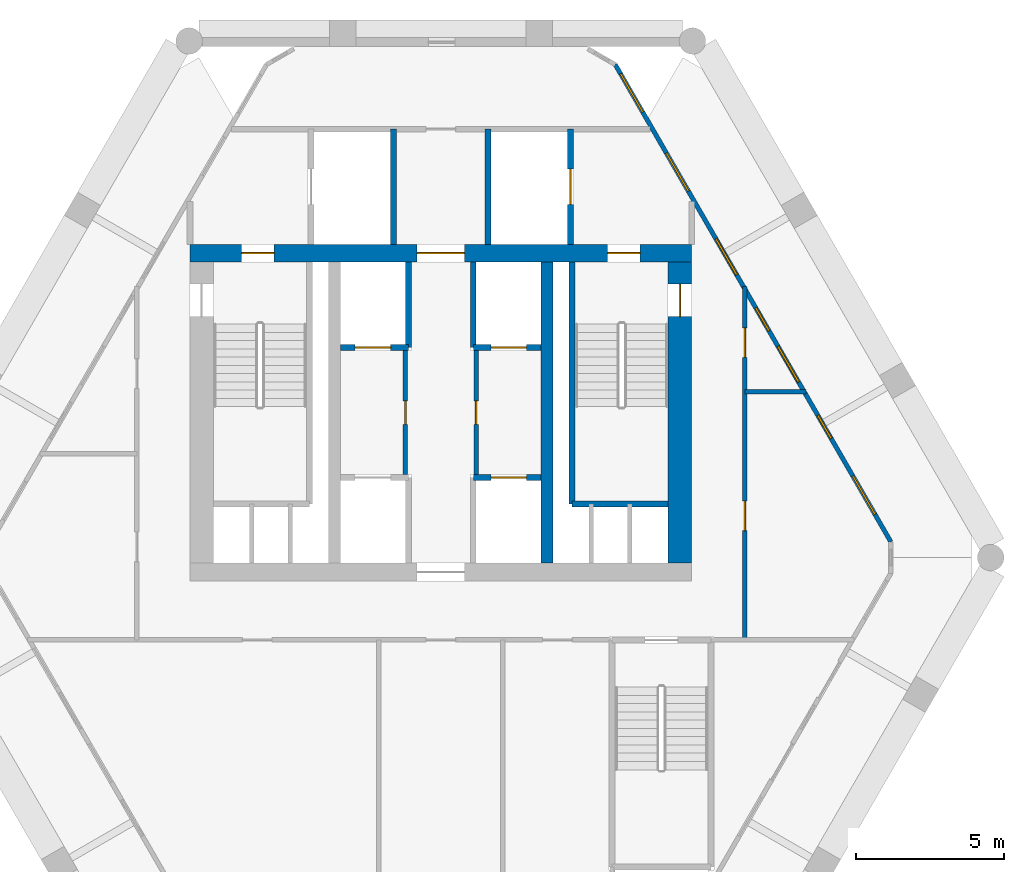
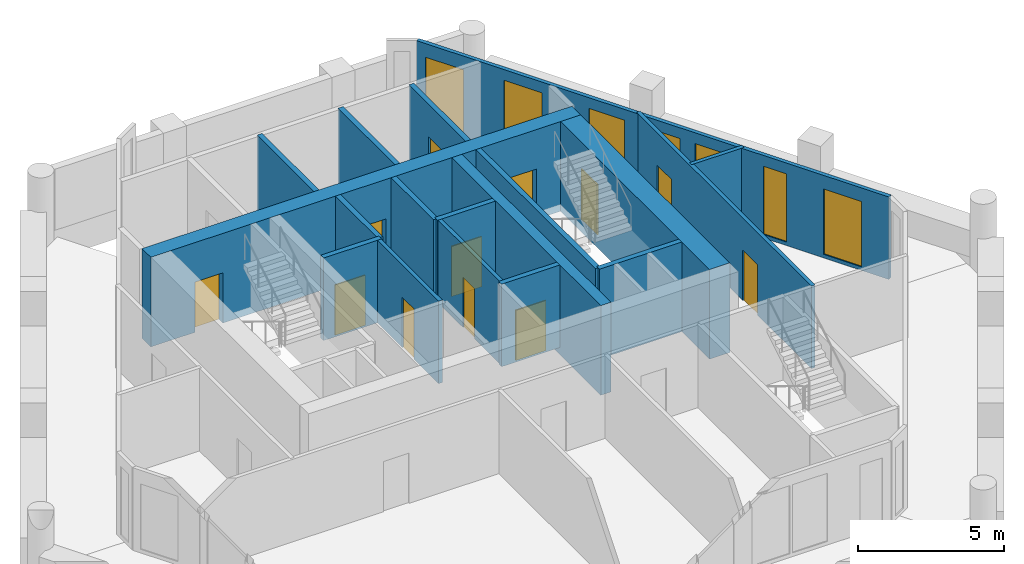
# One storey, part 4 of 6: 18 walls, 12 doors, 7 windows, 19 openings.
"""IFC4 building model written with IfcOpenShell, lengths in metres."""

from ifc_helpers import new_model, si_unit, direction, frame, frame_2d, origin, place, context, subcontext, project, spatial, rectangle, extrude, material, layer, layer_set, type_object, element, fill, save


model = new_model("IFC4")

# Units and contexts
model_context = context("Model", 3, precision=1e-05, world=origin(), true_north=direction((0.0, 1.0)))
body_context = subcontext(model_context, "Body", "Model", "MODEL_VIEW")
ifc_project = project(units=[si_unit("LENGTHUNIT", "METRE"), si_unit("AREAUNIT", "SQUARE_METRE"), si_unit("VOLUMEUNIT", "CUBIC_METRE"), si_unit("PLANEANGLEUNIT", "RADIAN"), si_unit("MASSUNIT", "GRAM", prefix="KILO")], contexts=[model_context])

# Site, building, storey
site_placement = place(None, origin())
site = spatial("IfcSite", under=ifc_project, at=site_placement, CompositionType="ELEMENT")
building_placement = place(site_placement, origin())
building = spatial("IfcBuilding", under=site, at=building_placement, Name="Ostrander Bayou Hotel Tower", CompositionType="ELEMENT")
storey_placement = place(building_placement, frame((0.0, 0.0, 260.0)))
storey = spatial("IfcBuildingStorey", under=building, at=storey_placement, Name="L64", CompositionType="ELEMENT", Elevation=260.0)

# Wall, openings, doors
ifc_material_1 = material(Name="Concrete f'c 60 MPa", Category="concrete")
ifc_layer_1 = layer(ifc_material_1, 0.60009765625)
ifc_layer_set_1 = layer_set([ifc_layer_1], Name="CW10 core wall 600 mm f'c 60 MPa")
wall_type_1 = type_object("IfcWallType", Name="CW10 core wall 600 mm f'c 60 MPa", PredefinedType="SHEAR", material=ifc_layer_set_1)
wall_1_placement = place(storey_placement, frame((-8.5, 9.39990234375, -0.300048828125), z_axis=(0.0, 0.0, 1.0), x_axis=(1.0, 0.0, 0.0)))
wall_1 = element("IfcWall", 1, at=wall_1_placement, inside=storey, type_object=wall_type_1, Name="CW10 L64 N", PredefinedType="SHEAR", context=body_context, shape_type="SweptSolid", body=[
    extrude(rectangle(XDim=17.0, YDim=0.60009765625, at=frame_2d((8.5, 0.0))), origin(), (0.0, 0.0, 1.0), 3.75),
])
opening_1_placement = place(wall_1_placement, frame((7.699951171875, 0.0, 0.0)))
opening_1 = element("IfcOpeningElement", 2, at=opening_1_placement, cuts=wall_1, Name="Opening T63-006", PredefinedType="OPENING", context=body_context, shape_type="SweptSolid", body=[
    extrude(rectangle(XDim=1.60009765625, YDim=2.10009765625, at=frame_2d((0.800048828125, 1.050048828125))), frame((0.0, 0.300048828125, 0.0), z_axis=(0.0, -1.0, 0.0), x_axis=(1.0, 0.0, 0.0)), (0.0, 0.0, 1.0), 0.60009765625),
])
opening_2_placement = place(wall_1_placement, frame((1.75, 0.0, 0.0)))
opening_2 = element("IfcOpeningElement", 3, at=opening_2_placement, cuts=wall_1, Name="Opening T63-007", PredefinedType="OPENING", context=body_context, shape_type="SweptSolid", body=[
    extrude(rectangle(XDim=1.10009765625, YDim=2.10009765625, at=frame_2d((0.550048828125, 1.050048828125))), frame((0.0, 0.300048828125, 0.0), z_axis=(0.0, -1.0, 0.0), x_axis=(1.0, 0.0, 0.0)), (0.0, 0.0, 1.0), 0.60009765625),
])
opening_3_placement = place(wall_1_placement, frame((14.14990234375, 0.0, 0.0)))
opening_3 = element("IfcOpeningElement", 4, at=opening_3_placement, cuts=wall_1, Name="Opening T63-009", PredefinedType="OPENING", context=body_context, shape_type="SweptSolid", body=[
    extrude(rectangle(XDim=1.10009765625, YDim=2.10009765625, at=frame_2d((0.550048828125, 1.050048828125))), frame((0.0, 0.300048828125, 0.0), z_axis=(0.0, -1.0, 0.0), x_axis=(1.0, 0.0, 0.0)), (0.0, 0.0, 1.0), 0.60009765625),
])
ifc_material_2 = material(Name="Timber door leaf", Category="wood")
door_type_1 = type_object("IfcDoorType", Name="D13 double door 1600 x 2100 mm, 1 hour", OperationType="SINGLE_SWING_LEFT", PredefinedType="DOOR", material=ifc_material_2)
door_1_placement = place(opening_1_placement, origin())
door_1 = element("IfcDoor", 5, at=door_1_placement, inside=storey, type_object=door_type_1, Name="dr:L64:006", OperationType="DOUBLE_DOOR_SINGLE_SWING", OverallHeight=2.10009765625, OverallWidth=1.60009765625, PredefinedType="DOOR", context=body_context, shape_type="SweptSolid", body=[
    extrude(rectangle(XDim=1.60009765625, YDim=2.10009765625, at=frame_2d((0.800048828125, 1.050048828125))), frame((0.0, 0.02490234375, 0.0), z_axis=(0.0, -1.0, 0.0), x_axis=(1.0, 0.0, 0.0)), (0.0, 0.0, 1.0), 0.050048828125),
])
fill(opening_1, door_1)
ifc_material_3 = material(Name="Timber door leaf", Category="wood")
door_type_2 = type_object("IfcDoorType", Name="D5 stair door 1100 x 2100 mm, 90 minute", OperationType="SINGLE_SWING_LEFT", PredefinedType="DOOR", material=ifc_material_3)
door_2_placement = place(opening_2_placement, origin())
door_2 = element("IfcDoor", 6, at=door_2_placement, inside=storey, type_object=door_type_2, Name="dr:L64:007", OperationType="SINGLE_SWING_LEFT", OverallHeight=2.10009765625, OverallWidth=1.10009765625, PredefinedType="DOOR", context=body_context, shape_type="SweptSolid", body=[
    extrude(rectangle(XDim=1.10009765625, YDim=2.10009765625, at=frame_2d((0.550048828125, 1.050048828125))), frame((0.0, 0.02490234375, 0.0), z_axis=(0.0, -1.0, 0.0), x_axis=(1.0, 0.0, 0.0)), (0.0, 0.0, 1.0), 0.050048828125),
])
fill(opening_2, door_2)
door_3_placement = place(opening_3_placement, origin())
door_3 = element("IfcDoor", 7, at=door_3_placement, inside=storey, type_object=door_type_2, Name="dr:L64:009", OperationType="SINGLE_SWING_RIGHT", OverallHeight=2.10009765625, OverallWidth=1.10009765625, PredefinedType="DOOR", context=body_context, shape_type="SweptSolid", body=[
    extrude(rectangle(XDim=1.10009765625, YDim=2.10009765625, at=frame_2d((0.550048828125, 1.050048828125))), frame((0.0, 0.02490234375, 0.0), z_axis=(0.0, -1.0, 0.0), x_axis=(1.0, 0.0, 0.0)), (0.0, 0.0, 1.0), 0.050048828125),
])
fill(opening_3, door_3)

# Wall, opening, door
ifc_material_4 = material(Name="Concrete f'c 60 MPa", Category="concrete")
ifc_layer_2 = layer(ifc_material_4, 0.800048828125)
ifc_layer_set_2 = layer_set([ifc_layer_2], Name="CW11 core spine wall 800 mm f'c 60 MPa")
wall_type_2 = type_object("IfcWallType", Name="CW11 core spine wall 800 mm f'c 60 MPa", PredefinedType="SHEAR", material=ifc_layer_set_2)
wall_2_placement = place(storey_placement, frame((8.10009765625, -1.10009765625, -0.300048828125), z_axis=(0.0, 0.0, 1.0), x_axis=(0.0, 1.0, 0.0)))
wall_2 = element("IfcWall", 8, at=wall_2_placement, inside=storey, type_object=wall_type_2, Name="CW11 L64 E", PredefinedType="SHEAR", context=body_context, shape_type="SweptSolid", body=[
    extrude(rectangle(XDim=10.2001953125, YDim=0.800048828125, at=frame_2d((5.10009765625, 0.0))), origin(), (0.0, 0.0, 1.0), 3.75),
])
opening_4_placement = place(wall_2_placement, frame((8.35009765625, 0.0, 0.0)))
opening_4 = element("IfcOpeningElement", 9, at=opening_4_placement, cuts=wall_2, Name="Opening T63-010", PredefinedType="OPENING", context=body_context, shape_type="SweptSolid", body=[
    extrude(rectangle(XDim=1.10009765625, YDim=2.10009765625, at=frame_2d((0.550048828125, 1.050048828125))), frame((0.0, 0.39990234375, 0.0), z_axis=(0.0, -1.0, 0.0), x_axis=(1.0, 0.0, 0.0)), (0.0, 0.0, 1.0), 0.800048828125),
])
door_4_placement = place(opening_4_placement, origin())
door_4 = element("IfcDoor", 10, at=door_4_placement, inside=storey, type_object=door_type_2, Name="dr:L64:010", OperationType="SINGLE_SWING_LEFT", OverallHeight=2.10009765625, OverallWidth=1.10009765625, PredefinedType="DOOR", context=body_context, shape_type="SweptSolid", body=[
    extrude(rectangle(XDim=1.10009765625, YDim=2.10009765625, at=frame_2d((0.550048828125, 1.050048828125))), frame((0.0, 0.02490234375, 0.0), z_axis=(0.0, -1.0, 0.0), x_axis=(1.0, 0.0, 0.0)), (0.0, 0.0, 1.0), 0.050048828125),
])
fill(opening_4, door_4)

# Wall
ifc_material_5 = material(Name="Concrete f'c 60 MPa", Category="concrete")
ifc_layer_3 = layer(ifc_material_5, 0.39990234375)
ifc_layer_set_3 = layer_set([ifc_layer_3], Name="CW12 core bank wall 400 mm f'c 60 MPa")
wall_type_3 = type_object("IfcWallType", Name="CW12 core bank wall 400 mm f'c 60 MPa", PredefinedType="SHEAR", material=ifc_layer_set_3)
wall_3_placement = place(storey_placement, frame((3.60009765625, -1.10009765625, -0.300048828125), z_axis=(0.0, 0.0, 1.0), x_axis=(0.0, 1.0, 0.0)))
element("IfcWall", 11, at=wall_3_placement, inside=storey, type_object=wall_type_3, Name="CW12 L64 CE", PredefinedType="SHEAR", context=body_context, shape_type="SweptSolid", body=[
    extrude(rectangle(XDim=10.2001953125, YDim=0.39990234375, at=frame_2d((5.10009765625, 0.0))), origin(), (0.0, 0.0, 1.0), 3.75),
])

# Wall, openings, windows
ifc_material_6 = material(Name="Aluminium framed insulated wall", Category="aluminium")
ifc_layer_4 = layer(ifc_material_6, 0.14990234375)
ifc_layer_set_4 = layer_set([ifc_layer_4], Name="GW1 glass-line wall 150 mm")
wall_type_4 = type_object("IfcWallType", Name="GW1 glass-line wall 150 mm", PredefinedType="SOLIDWALL", material=ifc_layer_set_4)
wall_4_placement = place(storey_placement, frame((15.245849609375, -0.37841796875, 0.0), z_axis=(0.0, 0.0, 1.0), x_axis=(-0.500006153997, 0.866021850744, 0.0)))
wall_4 = element("IfcWall", 12, at=wall_4_placement, inside=storey, type_object=wall_type_4, Name="GW1 L64 NE 1", PredefinedType="SOLIDWALL", context=body_context, shape_type="SweptSolid", body=[
    extrude(rectangle(XDim=18.672607421875, YDim=0.14990234375, at=frame_2d((9.33642578125, 0.0))), origin(), (0.0, 0.0, 1.0), 3.449951171875),
])
opening_5_placement = place(wall_4_placement, frame((4.05078125, 0.0, 0.14990234375)))
opening_5 = element("IfcOpeningElement", 13, at=opening_5_placement, cuts=wall_4, Name="Opening W18", PredefinedType="OPENING", context=body_context, shape_type="SweptSolid", body=[
    extrude(rectangle(XDim=0.89990234375, YDim=2.85009765625, at=frame_2d((0.449951171875, 1.425048828125))), frame((0.0, 0.074951171875, 0.0), z_axis=(0.0, -1.0, 0.0), x_axis=(1.0, 0.0, 0.0)), (0.0, 0.0, 1.0), 0.14990234375),
])
opening_6_placement = place(wall_4_placement, frame((6.250732421875, 0.0, 0.14990234375)))
opening_6 = element("IfcOpeningElement", 14, at=opening_6_placement, cuts=wall_4, Name="Opening W14", PredefinedType="OPENING", context=body_context, shape_type="SweptSolid", body=[
    extrude(rectangle(XDim=1.39990234375, YDim=2.85009765625, at=frame_2d((0.699951171875, 1.425048828125))), frame((0.0, 0.074951171875, 0.0), z_axis=(0.0, -1.0, 0.0), x_axis=(1.0, 0.0, 0.0)), (0.0, 0.0, 1.0), 0.14990234375),
])
opening_7_placement = place(wall_4_placement, frame((8.250732421875, 0.0, 0.14990234375)))
opening_7 = element("IfcOpeningElement", 15, at=opening_7_placement, cuts=wall_4, Name="Opening W18", PredefinedType="OPENING", context=body_context, shape_type="SweptSolid", body=[
    extrude(rectangle(XDim=0.89990234375, YDim=2.85009765625, at=frame_2d((0.449951171875, 1.425048828125))), frame((0.0, 0.074951171875, 0.0), z_axis=(0.0, -1.0, 0.0), x_axis=(1.0, 0.0, 0.0)), (0.0, 0.0, 1.0), 0.14990234375),
])
opening_8_placement = place(wall_4_placement, frame((10.45068359375, 0.0, 0.14990234375)))
opening_8 = element("IfcOpeningElement", 16, at=opening_8_placement, cuts=wall_4, Name="Opening W14", PredefinedType="OPENING", context=body_context, shape_type="SweptSolid", body=[
    extrude(rectangle(XDim=1.39990234375, YDim=2.85009765625, at=frame_2d((0.699951171875, 1.425048828125))), frame((0.0, 0.074951171875, 0.0), z_axis=(0.0, -1.0, 0.0), x_axis=(1.0, 0.0, 0.0)), (0.0, 0.0, 1.0), 0.14990234375),
])
opening_9_placement = place(wall_4_placement, frame((13.712158203125, 0.0, 0.14990234375)))
opening_9 = element("IfcOpeningElement", 17, at=opening_9_placement, cuts=wall_4, Name="Opening W4", PredefinedType="OPENING", context=body_context, shape_type="SweptSolid", body=[
    extrude(rectangle(XDim=1.5, YDim=2.85009765625, at=frame_2d((0.75, 1.425048828125))), frame((0.0, 0.074951171875, 0.0), z_axis=(0.0, -1.0, 0.0), x_axis=(1.0, 0.0, 0.0)), (0.0, 0.0, 1.0), 0.14990234375),
])
opening_10_placement = place(wall_4_placement, frame((1.0751953125, 0.0, 0.14990234375)))
opening_10 = element("IfcOpeningElement", 18, at=opening_10_placement, cuts=wall_4, Name="Opening W4", PredefinedType="OPENING", context=body_context, shape_type="SweptSolid", body=[
    extrude(rectangle(XDim=1.5, YDim=2.72998046875, at=frame_2d((0.75, 1.364990234375))), frame((0.0, 0.074951171875, 0.0), z_axis=(0.0, -1.0, 0.0), x_axis=(1.0, 0.0, 0.0)), (0.0, 0.0, 1.0), 0.14990234375),
])
opening_11_placement = place(wall_4_placement, frame((16.811767578125, 0.0, 0.14990234375)))
opening_11 = element("IfcOpeningElement", 19, at=opening_11_placement, cuts=wall_4, Name="Opening W4", PredefinedType="OPENING", context=body_context, shape_type="SweptSolid", body=[
    extrude(rectangle(XDim=1.5, YDim=2.72998046875, at=frame_2d((0.75, 1.364990234375))), frame((0.0, 0.074951171875, 0.0), z_axis=(0.0, -1.0, 0.0), x_axis=(1.0, 0.0, 0.0)), (0.0, 0.0, 1.0), 0.14990234375),
])
ifc_material_7 = material(Name="Aluminium and clear glass", Category="aluminium")
window_type_1 = type_object("IfcWindowType", Name="W14 fixed window 1400 mm, bath bay, zone 4", PartitioningType="SINGLE_PANEL", PredefinedType="WINDOW", material=ifc_material_7)
window_1_placement = place(opening_6_placement, origin())
window_1 = element("IfcWindow", 20, at=window_1_placement, inside=storey, type_object=window_type_1, Name="W14 L64 NE 2", OverallHeight=2.85009765625, OverallWidth=1.39990234375, PartitioningType="SINGLE_PANEL", PredefinedType="WINDOW", context=body_context, shape_type="SweptSolid", body=[
    extrude(rectangle(XDim=1.39990234375, YDim=2.85009765625, at=frame_2d((0.699951171875, 1.425048828125))), frame((0.0, 0.030029296875, 0.0), z_axis=(0.0, -1.0, 0.0), x_axis=(1.0, 0.0, 0.0)), (0.0, 0.0, 1.0), 0.06005859375),
])
fill(opening_6, window_1)
window_2_placement = place(opening_8_placement, origin())
window_2 = element("IfcWindow", 21, at=window_2_placement, inside=storey, type_object=window_type_1, Name="W14 L64 NE 3", OverallHeight=2.85009765625, OverallWidth=1.39990234375, PartitioningType="SINGLE_PANEL", PredefinedType="WINDOW", context=body_context, shape_type="SweptSolid", body=[
    extrude(rectangle(XDim=1.39990234375, YDim=2.85009765625, at=frame_2d((0.699951171875, 1.425048828125))), frame((0.0, 0.030029296875, 0.0), z_axis=(0.0, -1.0, 0.0), x_axis=(1.0, 0.0, 0.0)), (0.0, 0.0, 1.0), 0.06005859375),
])
fill(opening_8, window_2)
ifc_material_8 = material(Name="Aluminium and clear glass", Category="aluminium")
window_type_2 = type_object("IfcWindowType", Name="W18 window 900 mm, zone 4", PartitioningType="SINGLE_PANEL", PredefinedType="WINDOW", material=ifc_material_8)
window_3_placement = place(opening_5_placement, origin())
window_3 = element("IfcWindow", 22, at=window_3_placement, inside=storey, type_object=window_type_2, Name="W18 L64 NE 2", OverallHeight=2.85009765625, OverallWidth=0.89990234375, PartitioningType="SINGLE_PANEL", PredefinedType="WINDOW", context=body_context, shape_type="SweptSolid", body=[
    extrude(rectangle(XDim=0.89990234375, YDim=2.85009765625, at=frame_2d((0.449951171875, 1.425048828125))), frame((0.0, 0.030029296875, 0.0), z_axis=(0.0, -1.0, 0.0), x_axis=(1.0, 0.0, 0.0)), (0.0, 0.0, 1.0), 0.06005859375),
])
fill(opening_5, window_3)
window_4_placement = place(opening_7_placement, origin())
window_4 = element("IfcWindow", 23, at=window_4_placement, inside=storey, type_object=window_type_2, Name="W18 L64 NE 3", OverallHeight=2.85009765625, OverallWidth=0.89990234375, PartitioningType="SINGLE_PANEL", PredefinedType="WINDOW", context=body_context, shape_type="SweptSolid", body=[
    extrude(rectangle(XDim=0.89990234375, YDim=2.85009765625, at=frame_2d((0.449951171875, 1.425048828125))), frame((0.0, 0.030029296875, 0.0), z_axis=(0.0, -1.0, 0.0), x_axis=(1.0, 0.0, 0.0)), (0.0, 0.0, 1.0), 0.06005859375),
])
fill(opening_7, window_4)
ifc_material_9 = material(Name="Aluminium and clear glass", Category="aluminium")
window_type_3 = type_object("IfcWindowType", Name="W4 fixed window 1500 mm, zone 4", PartitioningType="SINGLE_PANEL", PredefinedType="WINDOW", material=ifc_material_9)
window_5_placement = place(opening_9_placement, origin())
window_5 = element("IfcWindow", 24, at=window_5_placement, inside=storey, type_object=window_type_3, Name="W4 L64 NE 4", OverallHeight=2.85009765625, OverallWidth=1.5, PartitioningType="SINGLE_PANEL", PredefinedType="WINDOW", context=body_context, shape_type="SweptSolid", body=[
    extrude(rectangle(XDim=1.5, YDim=2.85009765625, at=frame_2d((0.75, 1.425048828125))), frame((0.0, 0.030029296875, 0.0), z_axis=(0.0, -1.0, 0.0), x_axis=(1.0, 0.0, 0.0)), (0.0, 0.0, 1.0), 0.06005859375),
])
fill(opening_9, window_5)
window_6_placement = place(opening_10_placement, origin())
window_6 = element("IfcWindow", 25, at=window_6_placement, inside=storey, type_object=window_type_3, Name="W4 L64 NE E11", OverallHeight=2.72998046875, OverallWidth=1.5, PartitioningType="SINGLE_PANEL", PredefinedType="WINDOW", context=body_context, shape_type="SweptSolid", body=[
    extrude(rectangle(XDim=1.5, YDim=2.72998046875, at=frame_2d((0.75, 1.364990234375))), frame((0.0, 0.030029296875, 0.0), z_axis=(0.0, -1.0, 0.0), x_axis=(1.0, 0.0, 0.0)), (0.0, 0.0, 1.0), 0.06005859375),
])
fill(opening_10, window_6)
window_7_placement = place(opening_11_placement, origin())
window_7 = element("IfcWindow", 26, at=window_7_placement, inside=storey, type_object=window_type_3, Name="W4 L64 NE E21", OverallHeight=2.72998046875, OverallWidth=1.5, PartitioningType="SINGLE_PANEL", PredefinedType="WINDOW", context=body_context, shape_type="SweptSolid", body=[
    extrude(rectangle(XDim=1.5, YDim=2.72998046875, at=frame_2d((0.75, 1.364990234375))), frame((0.0, 0.030029296875, 0.0), z_axis=(0.0, -1.0, 0.0), x_axis=(1.0, 0.0, 0.0)), (0.0, 0.0, 1.0), 0.06005859375),
])
fill(opening_11, window_7)

# Wall, opening, door
ifc_material_10 = material(Name="Masonry block", Category="masonry")
ifc_layer_5 = layer(ifc_material_10, 0.199951171875)
ifc_layer_set_5 = layer_set([ifc_layer_5], Name="PT5 stair enclosure wall 200 mm masonry, 2 hour")
wall_type_5 = type_object("IfcWallType", Name="PT5 stair enclosure wall 200 mm masonry, 2 hour", PredefinedType="PARTITIONING", material=ifc_layer_set_5)
wall_5_placement = place(storey_placement, frame((4.39990234375, 9.699951171875, 0.0), z_axis=(0.0, 0.0, 1.0), x_axis=(0.0, 1.0, 0.0)))
wall_5 = element("IfcWall", 27, at=wall_5_placement, inside=storey, type_object=wall_type_5, Name="cs:L64:026", PredefinedType="PARTITIONING", context=body_context, shape_type="SweptSolid", body=[
    extrude(rectangle(XDim=3.900146484375, YDim=0.199951171875, at=frame_2d((1.9501953125, 0.0))), origin(), (0.0, 0.0, 1.0), 3.449951171875),
])
opening_12_placement = place(wall_5_placement, frame((1.35009765625, 0.0, 0.0)))
opening_12 = element("IfcOpeningElement", 28, at=opening_12_placement, cuts=wall_5, Name="Opening T63-013", PredefinedType="OPENING", context=body_context, shape_type="SweptSolid", body=[
    extrude(rectangle(XDim=1.199951171875, YDim=2.10009765625, at=frame_2d((0.60009765625, 1.050048828125))), frame((0.0, 0.10009765625, 0.0), z_axis=(0.0, -1.0, 0.0), x_axis=(1.0, 0.0, 0.0)), (0.0, 0.0, 1.0), 0.199951171875),
])
ifc_material_11 = material(Name="Stainless steel sliding door", Category="steel")
door_type_3 = type_object("IfcDoorType", Name="LD1 lift landing door 1200 x 2100 mm", OperationType="SINGLE_SWING_LEFT", PredefinedType="DOOR", material=ifc_material_11)
door_5_placement = place(opening_12_placement, origin())
door_5 = element("IfcDoor", 29, at=door_5_placement, inside=storey, type_object=door_type_3, Name="dr:L64:013", OperationType="SLIDING_TO_LEFT", OverallHeight=2.10009765625, OverallWidth=1.199951171875, PredefinedType="DOOR", context=body_context, shape_type="SweptSolid", body=[
    extrude(rectangle(XDim=1.199951171875, YDim=2.10009765625, at=frame_2d((0.60009765625, 1.050048828125))), frame((0.0, 0.02490234375, 0.0), z_axis=(0.0, -1.0, 0.0), x_axis=(1.0, 0.0, 0.0)), (0.0, 0.0, 1.0), 0.050048828125),
])
fill(opening_12, door_5)

ifc_material_12 = material(Name="Masonry block", Category="masonry")
ifc_layer_6 = layer(ifc_material_12, 0.199951171875)
ifc_layer_set_6 = layer_set([ifc_layer_6], Name="PT6 lift shaft wall 200 mm masonry, 2 hour")
wall_type_6 = type_object("IfcWallType", Name="PT6 lift shaft wall 200 mm masonry, 2 hour", PredefinedType="PARTITIONING", material=ifc_layer_set_6)
wall_6_placement = place(storey_placement, frame((-3.39990234375, 6.199951171875, 0.0), z_axis=(0.0, 0.0, 1.0), x_axis=(1.0, 0.0, 0.0)))
wall_6 = element("IfcWall", 30, at=wall_6_placement, inside=storey, type_object=wall_type_6, Name="cs:L64:002", PredefinedType="PARTITIONING", context=body_context, shape_type="SweptSolid", body=[
    extrude(rectangle(XDim=2.2998046875, YDim=0.199951171875, at=frame_2d((1.14990234375, 0.0))), origin(), (0.0, 0.0, 1.0), 3.449951171875),
])
opening_13_placement = place(wall_6_placement, frame((0.5, 0.0, 0.0)))
opening_13 = element("IfcOpeningElement", 31, at=opening_13_placement, cuts=wall_6, Name="Opening T63-003", PredefinedType="OPENING", context=body_context, shape_type="SweptSolid", body=[
    extrude(rectangle(XDim=1.199951171875, YDim=2.10009765625, at=frame_2d((0.60009765625, 1.050048828125))), frame((0.0, 0.10009765625, 0.0), z_axis=(0.0, -1.0, 0.0), x_axis=(1.0, 0.0, 0.0)), (0.0, 0.0, 1.0), 0.199951171875),
])
door_6_placement = place(opening_13_placement, origin())
door_6 = element("IfcDoor", 32, at=door_6_placement, inside=storey, type_object=door_type_3, Name="dr:L64:003", OperationType="SLIDING_TO_LEFT", OverallHeight=2.10009765625, OverallWidth=1.199951171875, PredefinedType="DOOR", context=body_context, shape_type="SweptSolid", body=[
    extrude(rectangle(XDim=1.199951171875, YDim=2.10009765625, at=frame_2d((0.60009765625, 1.050048828125))), frame((0.0, 0.02490234375, 0.0), z_axis=(0.0, -1.0, 0.0), x_axis=(1.0, 0.0, 0.0)), (0.0, 0.0, 1.0), 0.050048828125),
])
fill(opening_13, door_6)

wall_7_placement = place(storey_placement, frame((1.10009765625, 1.800048828125, 0.0), z_axis=(0.0, 0.0, 1.0), x_axis=(1.0, 0.0, 0.0)))
wall_7 = element("IfcWall", 33, at=wall_7_placement, inside=storey, type_object=wall_type_6, Name="cs:L64:003", PredefinedType="PARTITIONING", context=body_context, shape_type="SweptSolid", body=[
    extrude(rectangle(XDim=2.2998046875, YDim=0.199951171875, at=frame_2d((1.14990234375, 0.0))), origin(), (0.0, 0.0, 1.0), 3.449951171875),
])
opening_14_placement = place(wall_7_placement, frame((0.60009765625, 0.0, 0.0)))
opening_14 = element("IfcOpeningElement", 34, at=opening_14_placement, cuts=wall_7, Name="Opening T63-002", PredefinedType="OPENING", context=body_context, shape_type="SweptSolid", body=[
    extrude(rectangle(XDim=1.199951171875, YDim=2.10009765625, at=frame_2d((0.60009765625, 1.050048828125))), frame((0.0, 0.10009765625, 0.0), z_axis=(0.0, -1.0, 0.0), x_axis=(1.0, 0.0, 0.0)), (0.0, 0.0, 1.0), 0.199951171875),
])
door_7_placement = place(opening_14_placement, origin())
door_7 = element("IfcDoor", 35, at=door_7_placement, inside=storey, type_object=door_type_3, Name="dr:L64:002", OperationType="SLIDING_TO_LEFT", OverallHeight=2.10009765625, OverallWidth=1.199951171875, PredefinedType="DOOR", context=body_context, shape_type="SweptSolid", body=[
    extrude(rectangle(XDim=1.199951171875, YDim=2.10009765625, at=frame_2d((0.60009765625, 1.050048828125))), frame((0.0, 0.02490234375, 0.0), z_axis=(0.0, -1.0, 0.0), x_axis=(1.0, 0.0, 0.0)), (0.0, 0.0, 1.0), 0.050048828125),
])
fill(opening_14, door_7)

wall_8_placement = place(storey_placement, frame((1.10009765625, 6.199951171875, 0.0), z_axis=(0.0, 0.0, 1.0), x_axis=(1.0, 0.0, 0.0)))
wall_8 = element("IfcWall", 36, at=wall_8_placement, inside=storey, type_object=wall_type_6, Name="cs:L64:004", PredefinedType="PARTITIONING", context=body_context, shape_type="SweptSolid", body=[
    extrude(rectangle(XDim=2.2998046875, YDim=0.199951171875, at=frame_2d((1.14990234375, 0.0))), origin(), (0.0, 0.0, 1.0), 3.449951171875),
])
opening_15_placement = place(wall_8_placement, frame((0.60009765625, 0.0, 0.0)))
opening_15 = element("IfcOpeningElement", 37, at=opening_15_placement, cuts=wall_8, Name="Opening T63-004", PredefinedType="OPENING", context=body_context, shape_type="SweptSolid", body=[
    extrude(rectangle(XDim=1.199951171875, YDim=2.10009765625, at=frame_2d((0.60009765625, 1.050048828125))), frame((0.0, 0.10009765625, 0.0), z_axis=(0.0, -1.0, 0.0), x_axis=(1.0, 0.0, 0.0)), (0.0, 0.0, 1.0), 0.199951171875),
])
door_8_placement = place(opening_15_placement, origin())
door_8 = element("IfcDoor", 38, at=door_8_placement, inside=storey, type_object=door_type_3, Name="dr:L64:004", OperationType="SLIDING_TO_LEFT", OverallHeight=2.10009765625, OverallWidth=1.199951171875, PredefinedType="DOOR", context=body_context, shape_type="SweptSolid", body=[
    extrude(rectangle(XDim=1.199951171875, YDim=2.10009765625, at=frame_2d((0.60009765625, 1.050048828125))), frame((0.0, 0.02490234375, 0.0), z_axis=(0.0, -1.0, 0.0), x_axis=(1.0, 0.0, 0.0)), (0.0, 0.0, 1.0), 0.050048828125),
])
fill(opening_15, door_8)

# Walls
for number, where, z_axis, x_axis, name in (
    (39, (-1.10009765625, 6.199951171875, 0.0), (0.0, 0.0, 1.0), (0.0, 1.0, 0.0), "cs:L64:007"),
    (40, (1.10009765625, 6.199951171875, 0.0), (0.0, 0.0, 1.0), (0.0, 1.0, 0.0), "cs:L64:008"),
):
    element("IfcWall", number, at=place(storey_placement, frame(where, z_axis=z_axis, x_axis=x_axis)), inside=storey, type_object=wall_type_6, Name=name, PredefinedType="PARTITIONING", context=body_context, shape_type="SweptSolid", body=[
        extrude(rectangle(XDim=2.900146484375, YDim=0.199951171875, at=frame_2d((1.4501953125, 0.0))), origin(), (0.0, 0.0, 1.0), 3.449951171875),
    ])
for number, where, z_axis, x_axis, name in (
    (41, (-1.60009765625, 9.699951171875, 0.0), (0.0, 0.0, 1.0), (0.0, 1.0, 0.0), "cs:L64:027"),
    (42, (1.60009765625, 9.699951171875, 0.0), (0.0, 0.0, 1.0), (0.0, 1.0, 0.0), "cs:L64:028"),
):
    element("IfcWall", number, at=place(storey_placement, frame(where, z_axis=z_axis, x_axis=x_axis)), inside=storey, type_object=wall_type_6, Name=name, PredefinedType="PARTITIONING", context=body_context, shape_type="SweptSolid", body=[
        extrude(rectangle(XDim=3.900146484375, YDim=0.199951171875, at=frame_2d((1.9501953125, 0.0))), origin(), (0.0, 0.0, 1.0), 3.449951171875),
    ])

# Wall, opening, door
ifc_material_13 = material(Name="Gypsum board partition", Category="finish")
ifc_layer_7 = layer(ifc_material_13, 0.14990234375)
ifc_layer_set_7 = layer_set([ifc_layer_7], Name="PT7 riser wall 150 mm, 2 hour")
wall_type_7 = type_object("IfcWallType", Name="PT7 riser wall 150 mm, 2 hour", PredefinedType="PARTITIONING", material=ifc_layer_set_7)
wall_9_placement = place(storey_placement, frame((-1.199951171875, 1.89990234375, 0.0), z_axis=(0.0, 0.0, 1.0), x_axis=(0.0, 1.0, 0.0)))
wall_9 = element("IfcWall", 43, at=wall_9_placement, inside=storey, type_object=wall_type_7, Name="cs:L64:029", PredefinedType="PARTITIONING", context=body_context, shape_type="SweptSolid", body=[
    extrude(rectangle(XDim=4.2001953125, YDim=0.14990234375, at=frame_2d((2.10009765625, 0.0))), origin(), (0.0, 0.0, 1.0), 3.449951171875),
])
opening_16_placement = place(wall_9_placement, frame((1.699951171875, 0.0, 0.0)))
opening_16 = element("IfcOpeningElement", 44, at=opening_16_placement, cuts=wall_9, Name="Opening T63-015", PredefinedType="OPENING", context=body_context, shape_type="SweptSolid", body=[
    extrude(rectangle(XDim=0.800048828125, YDim=2.10009765625, at=frame_2d((0.39990234375, 1.050048828125))), frame((0.0, 0.074951171875, 0.0), z_axis=(0.0, -1.0, 0.0), x_axis=(1.0, 0.0, 0.0)), (0.0, 0.0, 1.0), 0.14990234375),
])
ifc_material_14 = material(Name="Timber door leaf", Category="wood")
door_type_4 = type_object("IfcDoorType", Name="D6 riser door 800 x 2100 mm, 90 minute", OperationType="SINGLE_SWING_LEFT", PredefinedType="DOOR", material=ifc_material_14)
door_9_placement = place(opening_16_placement, origin())
door_9 = element("IfcDoor", 45, at=door_9_placement, inside=storey, type_object=door_type_4, Name="dr:L64:015", OperationType="SINGLE_SWING_LEFT", OverallHeight=2.10009765625, OverallWidth=0.800048828125, PredefinedType="DOOR", context=body_context, shape_type="SweptSolid", body=[
    extrude(rectangle(XDim=0.800048828125, YDim=2.10009765625, at=frame_2d((0.39990234375, 1.050048828125))), frame((0.0, 0.02490234375, 0.0), z_axis=(0.0, -1.0, 0.0), x_axis=(1.0, 0.0, 0.0)), (0.0, 0.0, 1.0), 0.050048828125),
])
fill(opening_16, door_9)

wall_10_placement = place(storey_placement, frame((1.199951171875, 1.89990234375, 0.0), z_axis=(0.0, 0.0, 1.0), x_axis=(0.0, 1.0, 0.0)))
wall_10 = element("IfcWall", 46, at=wall_10_placement, inside=storey, type_object=wall_type_7, Name="cs:L64:030", PredefinedType="PARTITIONING", context=body_context, shape_type="SweptSolid", body=[
    extrude(rectangle(XDim=4.2001953125, YDim=0.14990234375, at=frame_2d((2.10009765625, 0.0))), origin(), (0.0, 0.0, 1.0), 3.449951171875),
])
opening_17_placement = place(wall_10_placement, frame((1.699951171875, 0.0, 0.0)))
opening_17 = element("IfcOpeningElement", 47, at=opening_17_placement, cuts=wall_10, Name="Opening T63-016", PredefinedType="OPENING", context=body_context, shape_type="SweptSolid", body=[
    extrude(rectangle(XDim=0.800048828125, YDim=2.10009765625, at=frame_2d((0.39990234375, 1.050048828125))), frame((0.0, 0.074951171875, 0.0), z_axis=(0.0, -1.0, 0.0), x_axis=(1.0, 0.0, 0.0)), (0.0, 0.0, 1.0), 0.14990234375),
])
door_10_placement = place(opening_17_placement, origin())
door_10 = element("IfcDoor", 48, at=door_10_placement, inside=storey, type_object=door_type_4, Name="dr:L64:016", OperationType="SINGLE_SWING_RIGHT", OverallHeight=2.10009765625, OverallWidth=0.800048828125, PredefinedType="DOOR", context=body_context, shape_type="SweptSolid", body=[
    extrude(rectangle(XDim=0.800048828125, YDim=2.10009765625, at=frame_2d((0.39990234375, 1.050048828125))), frame((0.0, 0.02490234375, 0.0), z_axis=(0.0, -1.0, 0.0), x_axis=(1.0, 0.0, 0.0)), (0.0, 0.0, 1.0), 0.050048828125),
])
fill(opening_17, door_10)

# Wall
ifc_material_15 = material(Name="Gypsum board partition", Category="finish")
ifc_layer_8 = layer(ifc_material_15, 0.14990234375)
ifc_layer_set_8 = layer_set([ifc_layer_8], Name="PT8 service band wall 150 mm, 1 hour")
wall_type_8 = type_object("IfcWallType", Name="PT8 service band wall 150 mm, 1 hour", PredefinedType="PARTITIONING", material=ifc_layer_set_8)
wall_11_placement = place(storey_placement, frame((10.300048828125, 4.699951171875, 0.0), z_axis=(0.0, 0.0, 1.0), x_axis=(1.0, 0.0, 0.0)))
element("IfcWall", 49, at=wall_11_placement, inside=storey, type_object=wall_type_8, Name="gw:L64:004", PredefinedType="PARTITIONING", context=body_context, shape_type="SweptSolid", body=[
    extrude(rectangle(XDim=2.06591796875, YDim=0.14990234375, at=frame_2d((1.032958984375, 0.0))), origin(), (0.0, 0.0, 1.0), 3.449951171875),
])

# Wall, openings, doors
wall_12_placement = place(storey_placement, frame((10.300048828125, -3.699951171875, 0.0), z_axis=(0.0, 0.0, 1.0), x_axis=(0.0, 1.0, 0.0)))
wall_12 = element("IfcWall", 50, at=wall_12_placement, inside=storey, type_object=wall_type_8, Name="gw:L64:005", PredefinedType="PARTITIONING", context=body_context, shape_type="SweptSolid", body=[
    extrude(rectangle(XDim=11.97802734375, YDim=0.14990234375, at=frame_2d((5.989013671875, 0.0))), origin(), (0.0, 0.0, 1.0), 3.449951171875),
])
opening_18_placement = place(wall_12_placement, frame((3.699951171875, 0.0, 0.0)))
opening_18 = element("IfcOpeningElement", 51, at=opening_18_placement, cuts=wall_12, Name="Opening T63-405", PredefinedType="OPENING", context=body_context, shape_type="SweptSolid", body=[
    extrude(rectangle(XDim=1.0, YDim=2.10009765625, at=frame_2d((0.5, 1.050048828125))), frame((0.0, 0.074951171875, 0.0), z_axis=(0.0, -1.0, 0.0), x_axis=(1.0, 0.0, 0.0)), (0.0, 0.0, 1.0), 0.14990234375),
])
opening_19_placement = place(wall_12_placement, frame((9.570068359375, 0.0, 0.0)))
opening_19 = element("IfcOpeningElement", 52, at=opening_19_placement, cuts=wall_12, Name="Opening T63-406", PredefinedType="OPENING", context=body_context, shape_type="SweptSolid", body=[
    extrude(rectangle(XDim=1.0, YDim=2.10009765625, at=frame_2d((0.5, 1.050048828125))), frame((0.0, 0.074951171875, 0.0), z_axis=(0.0, -1.0, 0.0), x_axis=(1.0, 0.0, 0.0)), (0.0, 0.0, 1.0), 0.14990234375),
])
ifc_material_16 = material(Name="Timber door leaf", Category="wood")
door_type_5 = type_object("IfcDoorType", Name="D15 room door 1000 x 2100 mm", OperationType="SINGLE_SWING_LEFT", PredefinedType="DOOR", material=ifc_material_16)
door_11_placement = place(opening_18_placement, origin())
door_11 = element("IfcDoor", 53, at=door_11_placement, inside=storey, type_object=door_type_5, Name="dr:L64:405", OperationType="SINGLE_SWING_LEFT", OverallHeight=2.10009765625, OverallWidth=1.0, PredefinedType="DOOR", context=body_context, shape_type="SweptSolid", body=[
    extrude(rectangle(XDim=1.0, YDim=2.10009765625, at=frame_2d((0.5, 1.050048828125))), frame((0.0, 0.02490234375, 0.0), z_axis=(0.0, -1.0, 0.0), x_axis=(1.0, 0.0, 0.0)), (0.0, 0.0, 1.0), 0.050048828125),
])
fill(opening_18, door_11)
ifc_material_17 = material(Name="Timber door leaf", Category="wood")
door_type_6 = type_object("IfcDoorType", Name="D9 service door 1000 x 2100 mm, 30 minute", OperationType="SINGLE_SWING_LEFT", PredefinedType="DOOR", material=ifc_material_17)
door_12_placement = place(opening_19_placement, origin())
door_12 = element("IfcDoor", 54, at=door_12_placement, inside=storey, type_object=door_type_6, Name="dr:L64:406", OperationType="SINGLE_SWING_LEFT", OverallHeight=2.10009765625, OverallWidth=1.0, PredefinedType="DOOR", context=body_context, shape_type="SweptSolid", body=[
    extrude(rectangle(XDim=1.0, YDim=2.10009765625, at=frame_2d((0.5, 1.050048828125))), frame((0.0, 0.02490234375, 0.0), z_axis=(0.0, -1.0, 0.0), x_axis=(1.0, 0.0, 0.0)), (0.0, 0.0, 1.0), 0.050048828125),
])
fill(opening_19, door_12)

# Walls
ifc_material_18 = material(Name="Concrete f'c 45 MPa", Category="concrete")
ifc_layer_9 = layer(ifc_material_18, 0.199951171875)
ifc_layer_set_9 = layer_set([ifc_layer_9], Name="SW5 stair enclosure wall 200 mm f'c 45 MPa")
wall_type_9 = type_object("IfcWallType", Name="SW5 stair enclosure wall 200 mm f'c 45 MPa", PredefinedType="SOLIDWALL", material=ifc_layer_set_9)
wall_13_placement = place(storey_placement, frame((4.449951171875, 0.89990234375, -0.300048828125), z_axis=(0.0, 0.0, 1.0), x_axis=(0.0, 1.0, 0.0)))
element("IfcWall", 55, at=wall_13_placement, inside=storey, type_object=wall_type_9, Name="cs:L64:013", PredefinedType="SOLIDWALL", context=body_context, shape_type="SweptSolid", body=[
    extrude(rectangle(XDim=8.2001953125, YDim=0.199951171875, at=frame_2d((4.10009765625, 0.0))), origin(), (0.0, 0.0, 1.0), 3.75),
])
wall_14_placement = place(storey_placement, frame((4.449951171875, 0.89990234375, -0.300048828125), z_axis=(0.0, 0.0, 1.0), x_axis=(1.0, 0.0, 0.0)))
element("IfcWall", 56, at=wall_14_placement, inside=storey, type_object=wall_type_9, Name="cs:L64:014", PredefinedType="SOLIDWALL", context=body_context, shape_type="SweptSolid", body=[
    extrude(rectangle(XDim=3.25, YDim=0.199951171875, at=frame_2d((1.625, 0.0))), origin(), (0.0, 0.0, 1.0), 3.75),
])

save(model, "model.ifc")
